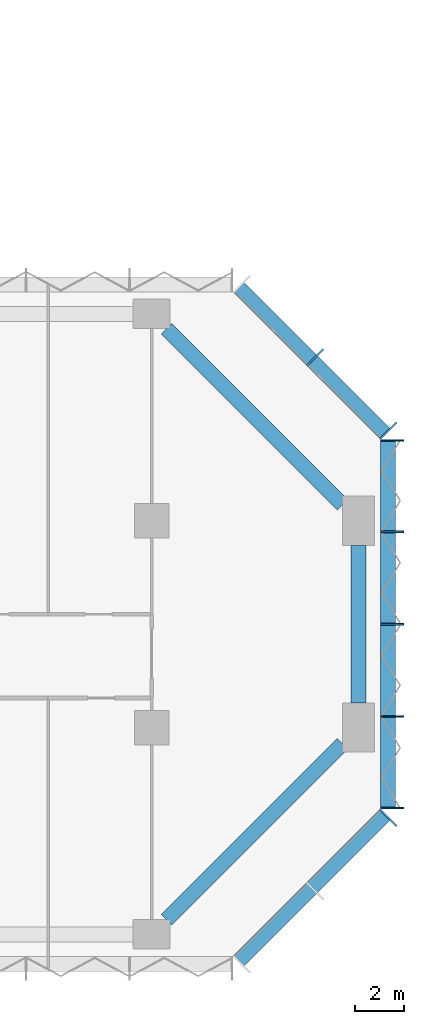
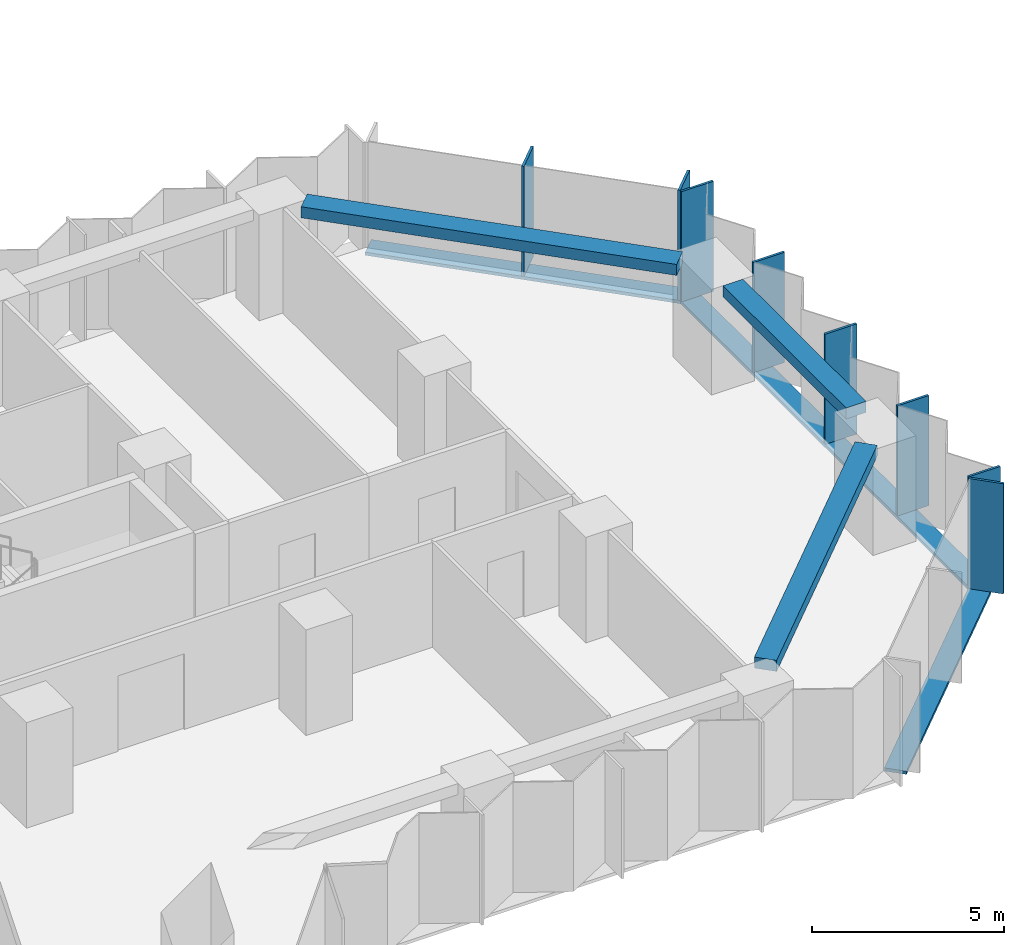
# One storey, part 4 of 15: 11 members, 3 beams, 3 elements without a shape of their own.
"""IFC4 building model written with IfcOpenShell, lengths in metres."""

from ifc_helpers import new_model, si_unit, direction, frame, origin, origin_2d, place, context, subcontext, project, spatial, rectangle, extrude, material, material_profile, profile_set, type_object, element, aggregate, save


model = new_model("IFC4")

# Units and contexts
model_context = context("Model", 3, precision=1e-05, world=origin(), true_north=direction((0.0, 1.0)))
body_context = subcontext(model_context, "Body", "Model", "MODEL_VIEW")
ifc_project = project(units=[si_unit("LENGTHUNIT", "METRE"), si_unit("AREAUNIT", "SQUARE_METRE"), si_unit("VOLUMEUNIT", "CUBIC_METRE"), si_unit("PLANEANGLEUNIT", "RADIAN"), si_unit("MASSUNIT", "GRAM", prefix="KILO")], contexts=[model_context])

# Site, building, storey
site_placement = place(None, origin())
site = spatial("IfcSite", under=ifc_project, at=site_placement, CompositionType="ELEMENT")
building_placement = place(site_placement, origin())
building = spatial("IfcBuilding", under=site, at=building_placement, Name="Brevane Broadcast Tower", CompositionType="ELEMENT")
storey_placement = place(building_placement, frame((0.0, 0.0, 72.5)))
storey = spatial("IfcBuildingStorey", under=building, at=storey_placement, Name="L16", CompositionType="ELEMENT", Elevation=72.5)

# Curtain wall, member
ifc_material_1 = material(Name="Aluminium 6063-T6 bronze anodised", Category="aluminium")
curtain_wall_type = type_object("IfcCurtainWallType", Name="CW-1 curtain wall", PredefinedType="NOTDEFINED", material=ifc_material_1)
curtain_wall_1_placement = place(storey_placement, origin())
curtain_wall_1 = element("IfcCurtainWall", 1, at=curtain_wall_1_placement, inside=storey, type_object=curtain_wall_type, Name="CW-1 typical tilted unit L16 south-east chamfer", PredefinedType="NOTDEFINED")
ifc_material_profile_1 = material_profile(ifc_material_1, rectangle(XDim=0.949951171875, YDim=0.070068359375, at=origin_2d()), Name="RECT 70x950")
ifc_profile_set_1 = profile_set([ifc_material_profile_1], Name="Aluminium 6063-T6 bronze anodised")
member_type_1 = type_object("IfcMemberType", Name="CW-1 mullion 70x950", PredefinedType="MULLION", material=ifc_profile_set_1)
member_1_placement = place(storey_placement, frame((68.4111328125, 4.7392578125, -0.14990234375), z_axis=(0.0, 0.0, 1.0), x_axis=(-0.707106781187, 0.707106781187, 0.0)))
member_1 = element("IfcMember", 2, at=member_1_placement, type_object=member_type_1, Name="CW-1 mullion", PredefinedType="MULLION", context=body_context, shape_type="SweptSolid", body=[
    extrude(rectangle(XDim=0.949951171875, YDim=0.070068359375, at=origin_2d()), origin(), (0.0, 0.0, 1.0), 3.5),
])

# Curtain wall, members
curtain_wall_2_placement = place(storey_placement, origin())
curtain_wall_2 = element("IfcCurtainWall", 3, at=curtain_wall_2_placement, inside=storey, type_object=curtain_wall_type, Name="CW-1 typical tilted unit L16 east end", PredefinedType="NOTDEFINED")
member_2_placement = place(storey_placement, frame((68.574951171875, 5.135009765625, -0.14990234375), z_axis=(0.0, 0.0, 1.0), x_axis=(-1.0, 0.0, 0.0)))
member_2 = element("IfcMember", 4, at=member_2_placement, type_object=member_type_1, Name="CW-1 mullion", PredefinedType="MULLION", context=body_context, shape_type="SweptSolid", body=[
    extrude(rectangle(XDim=0.949951171875, YDim=0.070068359375, at=origin_2d()), origin(), (0.0, 0.0, 1.0), 3.5),
])
member_3_placement = place(storey_placement, frame((68.574951171875, 8.85009765625, -0.14990234375), z_axis=(0.0, 0.0, 1.0), x_axis=(-1.0, 0.0, 0.0)))
member_3 = element("IfcMember", 5, at=member_3_placement, type_object=member_type_1, Name="CW-1 mullion", PredefinedType="MULLION", context=body_context, shape_type="SweptSolid", body=[
    extrude(rectangle(XDim=0.949951171875, YDim=0.070068359375, at=origin_2d()), origin(), (0.0, 0.0, 1.0), 3.5),
])
member_4_placement = place(storey_placement, frame((68.574951171875, 12.60009765625, -0.14990234375), z_axis=(0.0, 0.0, 1.0), x_axis=(-1.0, 0.0, 0.0)))
member_4 = element("IfcMember", 6, at=member_4_placement, type_object=member_type_1, Name="CW-1 mullion", PredefinedType="MULLION", context=body_context, shape_type="SweptSolid", body=[
    extrude(rectangle(XDim=0.949951171875, YDim=0.070068359375, at=origin_2d()), origin(), (0.0, 0.0, 1.0), 3.5),
])
member_5_placement = place(storey_placement, frame((68.574951171875, 16.35009765625, -0.14990234375), z_axis=(0.0, 0.0, 1.0), x_axis=(-1.0, 0.0, 0.0)))
member_5 = element("IfcMember", 7, at=member_5_placement, type_object=member_type_1, Name="CW-1 mullion", PredefinedType="MULLION", context=body_context, shape_type="SweptSolid", body=[
    extrude(rectangle(XDim=0.949951171875, YDim=0.070068359375, at=origin_2d()), origin(), (0.0, 0.0, 1.0), 3.5),
])
member_6_placement = place(storey_placement, frame((68.574951171875, 20.06494140625, -0.14990234375), z_axis=(0.0, 0.0, 1.0), x_axis=(-1.0, 0.0, 0.0)))
member_6 = element("IfcMember", 8, at=member_6_placement, type_object=member_type_1, Name="CW-1 mullion", PredefinedType="MULLION", context=body_context, shape_type="SweptSolid", body=[
    extrude(rectangle(XDim=0.949951171875, YDim=0.070068359375, at=origin_2d()), origin(), (0.0, 0.0, 1.0), 3.5),
])

curtain_wall_3_placement = place(storey_placement, origin())
curtain_wall_3 = element("IfcCurtainWall", 9, at=curtain_wall_3_placement, inside=storey, type_object=curtain_wall_type, Name="CW-1 typical tilted unit L16 north-east chamfer", PredefinedType="NOTDEFINED")
member_7_placement = place(storey_placement, frame((68.4111328125, 20.460693359375, -0.14990234375), z_axis=(0.0, 0.0, 1.0), x_axis=(-0.707106781187, -0.707106781187, 0.0)))
member_7 = element("IfcMember", 10, at=member_7_placement, type_object=member_type_1, Name="CW-1 mullion", PredefinedType="MULLION", context=body_context, shape_type="SweptSolid", body=[
    extrude(rectangle(XDim=0.949951171875, YDim=0.070068359375, at=origin_2d()), origin(), (0.0, 0.0, 1.0), 3.5),
])
member_8_placement = place(storey_placement, frame((65.435791015625, 23.435791015625, -0.14990234375), z_axis=(0.0, 0.0, 1.0), x_axis=(-0.707106781187, -0.707106781187, 0.0)))
member_8 = element("IfcMember", 11, at=member_8_placement, type_object=member_type_1, Name="CW-1 mullion", PredefinedType="MULLION", context=body_context, shape_type="SweptSolid", body=[
    extrude(rectangle(XDim=0.949951171875, YDim=0.070068359375, at=origin_2d()), origin(), (0.0, 0.0, 1.0), 3.5),
])

# Member
ifc_material_profile_2 = material_profile(ifc_material_1, rectangle(XDim=0.60009765625, YDim=0.10009765625, at=origin_2d()), Name="RECT 100x600")
ifc_profile_set_2 = profile_set([ifc_material_profile_2], Name="Aluminium 6063-T6 bronze anodised")
member_type_2 = type_object("IfcMemberType", Name="CW-1 transom 100x600", PredefinedType="USERDEFINED", material=ifc_profile_set_2)
member_9_placement = place(storey_placement, frame((62.31201171875, -1.112060546875, -0.199951171875), z_axis=(0.707106781187, 0.707106781187, 0.0), x_axis=(-0.707106781187, 0.707106781187, 0.0)))
member_9 = element("IfcMember", 12, at=member_9_placement, type_object=member_type_2, Name="CW-1 transom", ObjectType="TRANSOM", PredefinedType="USERDEFINED", context=body_context, shape_type="SweptSolid", body=[
    extrude(rectangle(XDim=0.60009765625, YDim=0.10009765625, at=origin_2d()), origin(), (0.0, 0.0, 1.0), 8.4853515625),
])

aggregate(curtain_wall_1, [member_1, member_9])

member_10_placement = place(storey_placement, frame((68.39990234375, 5.10009765625, -0.199951171875), z_axis=(0.0, 1.0, 0.0), x_axis=(-1.0, 0.0, 0.0)))
member_10 = element("IfcMember", 13, at=member_10_placement, type_object=member_type_2, Name="CW-1 transom", ObjectType="TRANSOM", PredefinedType="USERDEFINED", context=body_context, shape_type="SweptSolid", body=[
    extrude(rectangle(XDim=0.60009765625, YDim=0.10009765625, at=origin_2d()), origin(), (0.0, 0.0, 1.0), 15.0),
])

aggregate(curtain_wall_2, [member_2, member_3, member_4, member_5, member_6, member_10])

member_11_placement = place(storey_placement, frame((68.31201171875, 20.31201171875, -0.199951171875), z_axis=(-0.707106781187, 0.707106781187, 0.0), x_axis=(-0.707106781187, -0.707106781187, 0.0)))
member_11 = element("IfcMember", 14, at=member_11_placement, type_object=member_type_2, Name="CW-1 transom", ObjectType="TRANSOM", PredefinedType="USERDEFINED", context=body_context, shape_type="SweptSolid", body=[
    extrude(rectangle(XDim=0.60009765625, YDim=0.10009765625, at=origin_2d()), origin(), (0.0, 0.0, 1.0), 8.4853515625),
])

aggregate(curtain_wall_3, [member_7, member_8, member_11])

# Beams
ifc_material_2 = material(Name="Concrete C40/50", Category="concrete")
ifc_material_profile_3 = material_profile(ifc_material_2, rectangle(XDim=0.60009765625, YDim=0.35009765625, at=origin_2d()), Name="RC 600x350")
ifc_profile_set_3 = profile_set([ifc_material_profile_3], Name="Concrete C40/50")
beam_type = type_object("IfcBeamType", Name="RC SPANDREL BEAM 600x350 C40/50", PredefinedType="SPANDREL", material=ifc_profile_set_3)
beam_1_placement = place(storey_placement, frame((59.39990234375, 0.60009765625, 3.175048828125), z_axis=(0.707118853314, 0.707094708853, 0.0), x_axis=(-0.707094708853, 0.707118853314, 0.0)))
element("IfcBeam", 15, at=beam_1_placement, inside=storey, type_object=beam_type, Name="EB1 L16-5", PredefinedType="SPANDREL", context=body_context, shape_type="SweptSolid", body=[
    extrude(rectangle(XDim=0.60009765625, YDim=0.35009765625, at=origin_2d()), origin(), (0.0, 0.0, 1.0), 10.111572265625),
])
beam_2_placement = place(storey_placement, frame((67.199951171875, 9.39990234375, 3.175048828125), z_axis=(0.0, 1.0, 0.0), x_axis=(-1.0, 0.0, 0.0)))
element("IfcBeam", 16, at=beam_2_placement, inside=storey, type_object=beam_type, Name="EB1 L16-6", PredefinedType="SPANDREL", context=body_context, shape_type="SweptSolid", body=[
    extrude(rectangle(XDim=0.60009765625, YDim=0.35009765625, at=origin_2d()), origin(), (0.0, 0.0, 1.0), 6.400146484375),
])
beam_3_placement = place(storey_placement, frame((66.550048828125, 17.449951171875, 3.175048828125), z_axis=(-0.707106781187, 0.707106781187, 0.0), x_axis=(-0.707106781187, -0.707106781187, 0.0)))
element("IfcBeam", 17, at=beam_3_placement, inside=storey, type_object=beam_type, Name="EB1 L16-7", PredefinedType="SPANDREL", context=body_context, shape_type="SweptSolid", body=[
    extrude(rectangle(XDim=0.60009765625, YDim=0.35009765625, at=origin_2d()), origin(), (0.0, 0.0, 1.0), 10.11181640625),
])

save(model, "model.ifc")
